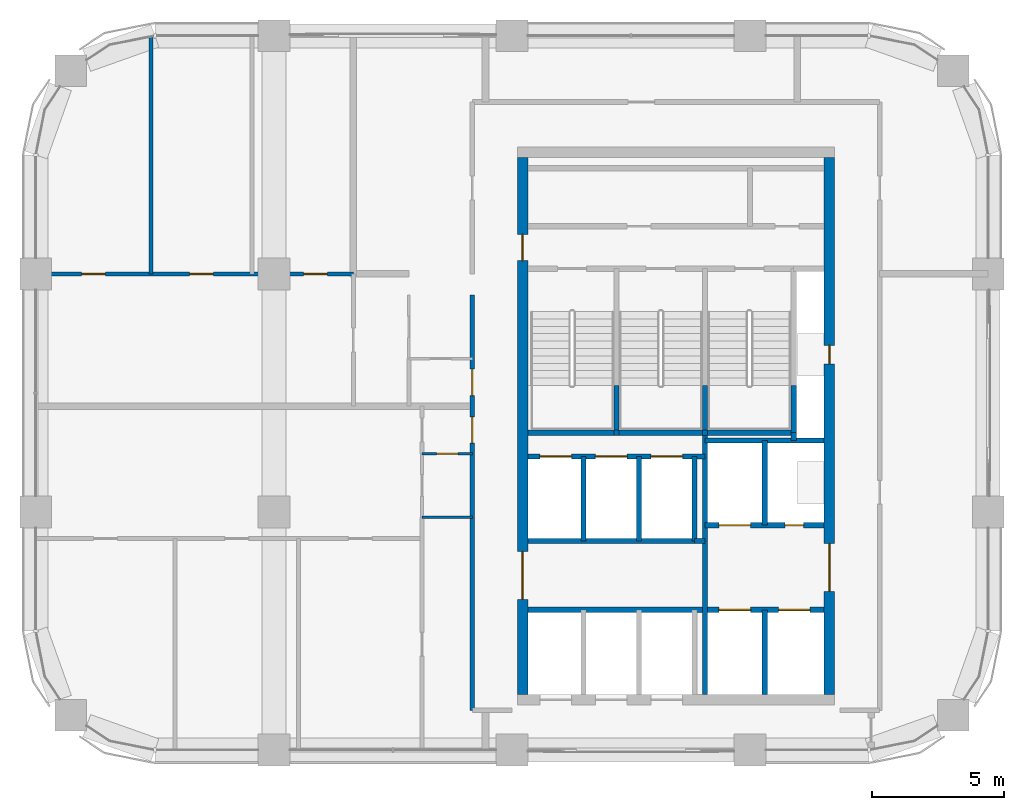
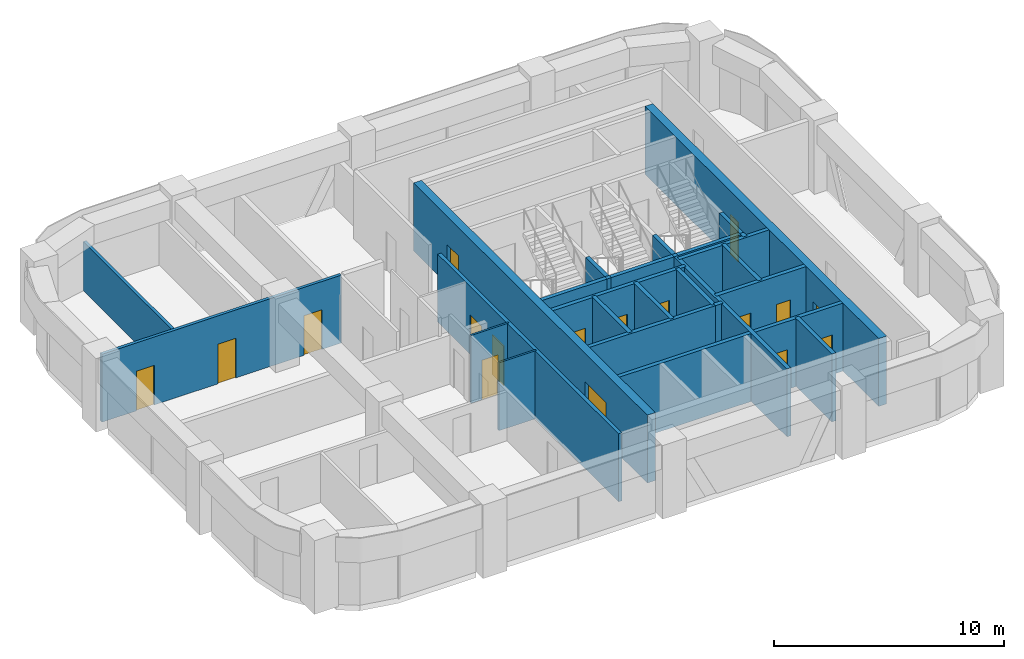
# One storey, part 7 of 9: 28 walls, 17 doors, 17 openings.
"""IFC4 building model written with IfcOpenShell, lengths in metres."""

from ifc_helpers import new_model, si_unit, direction, frame, frame_2d, origin, place, context, subcontext, project, spatial, rectangle, extrude, material, layer, layer_set, type_object, element, fill, save


model = new_model("IFC4")

# Units and contexts
model_context = context("Model", 3, precision=1e-05, world=origin(), true_north=direction((0.0, 1.0)))
body_context = subcontext(model_context, "Body", "Model", "MODEL_VIEW")
ifc_project = project(units=[si_unit("LENGTHUNIT", "METRE"), si_unit("AREAUNIT", "SQUARE_METRE"), si_unit("VOLUMEUNIT", "CUBIC_METRE"), si_unit("PLANEANGLEUNIT", "RADIAN"), si_unit("MASSUNIT", "GRAM", prefix="KILO")], contexts=[model_context])

# Site, building, storey
site_placement = place(None, origin())
site = spatial("IfcSite", under=ifc_project, at=site_placement, CompositionType="ELEMENT")
building_placement = place(site_placement, origin())
building = spatial("IfcBuilding", under=site, at=building_placement, Name="Tessera Arch", CompositionType="ELEMENT")
storey_placement = place(building_placement, frame((0.0, 0.0, 246.199951171875)))
storey = spatial("IfcBuildingStorey", under=building, at=storey_placement, Name="L59", CompositionType="ELEMENT", Elevation=246.199951171875)

# Wall
ifc_material_1 = material(Name="Gypsum board on steel stud", Category="steel")
ifc_layer_1 = layer(ifc_material_1, 0.125)
ifc_layer_set_1 = layer_set([ifc_layer_1], Name="Core partition 125 EI 60")
wall_type_1 = type_object("IfcWallType", Name="Core partition 125 EI 60", PredefinedType="PARTITIONING", material=ifc_layer_set_1)
wall_1_placement = place(storey_placement, frame((42.89990234375, 34.89990234375, 0.0), z_axis=(0.0, 0.0, 1.0), x_axis=(1.0, 0.0, 0.0)))
element("IfcWall", 1, at=wall_1_placement, inside=storey, type_object=wall_type_1, Name="L59 C1 partition wall 19", PredefinedType="PARTITIONING", context=body_context, shape_type="SweptSolid", body=[
    extrude(rectangle(XDim=0.400146484375, YDim=0.199951171875, at=frame_2d((0.2001953125, 0.0))), origin(), (0.0, 0.0, 1.0), 3.60009765625),
])

# Wall, openings, doors
ifc_material_2 = material(Name="Concrete C50/60", Category="concrete")
ifc_layer_2 = layer(ifc_material_2, 0.39990234375)
ifc_layer_set_2 = layer_set([ifc_layer_2], Name="Core shell wall 400 C50-60")
wall_type_2 = type_object("IfcWallType", Name="Core shell wall 400 C50-60", PredefinedType="SHEAR", material=ifc_layer_set_2)
wall_2_placement = place(storey_placement, frame((36.39990234375, 29.10009765625, 0.0), z_axis=(0.0, 0.0, 1.0), x_axis=(0.0, 1.0, 0.0)))
wall_2 = element("IfcWall", 2, at=wall_2_placement, inside=storey, type_object=wall_type_2, Name="L59 C1 core wall W", PredefinedType="SHEAR", context=body_context, shape_type="SweptSolid", body=[
    extrude(rectangle(XDim=20.2998046875, YDim=0.39990234375, at=frame_2d((10.14990234375, 0.0))), origin(), (0.0, 0.0, 1.0), 3.60009765625),
])
opening_1_placement = place(wall_2_placement, frame((3.60009765625, 0.0, 0.0)))
opening_1 = element("IfcOpeningElement", 3, at=opening_1_placement, cuts=wall_2, Name="Opening L59-C10", PredefinedType="OPENING", context=body_context, shape_type="SweptSolid", body=[
    extrude(rectangle(XDim=1.800048828125, YDim=2.10009765625, at=frame_2d((0.89990234375, 1.050048828125))), frame((0.0, 0.2099609375, 0.0), z_axis=(0.0, -1.0, 0.0), x_axis=(1.0, 0.0, 0.0)), (0.0, 0.0, 1.0), 0.419921875),
])
opening_2_placement = place(wall_2_placement, frame((16.39990234375, 0.0, 0.0)))
opening_2 = element("IfcOpeningElement", 4, at=opening_2_placement, cuts=wall_2, Name="Opening L59-C17", PredefinedType="OPENING", context=body_context, shape_type="SweptSolid", body=[
    extrude(rectangle(XDim=1.0, YDim=2.10009765625, at=frame_2d((0.5, 1.050048828125))), frame((0.0, 0.2099609375, 0.0), z_axis=(0.0, -1.0, 0.0), x_axis=(1.0, 0.0, 0.0)), (0.0, 0.0, 1.0), 0.419921875),
])
ifc_material_3 = material(Name="Steel door leaf", Category="steel")
door_type_1 = type_object("IfcDoorType", Name="Corridor door FD60 1000 x 2100", OperationType="SINGLE_SWING_LEFT", PredefinedType="DOOR", material=ifc_material_3)
door_1_placement = place(opening_2_placement, origin())
door_1 = element("IfcDoor", 5, at=door_1_placement, inside=storey, type_object=door_type_1, Name="L59 C1 door 17 C17 type D12", OperationType="SINGLE_SWING_RIGHT", OverallHeight=2.10009765625, OverallWidth=1.0, PredefinedType="DOOR", context=body_context, shape_type="SweptSolid", body=[
    extrude(rectangle(XDim=1.0, YDim=2.10009765625, at=frame_2d((0.5, 1.050048828125))), frame((0.0, 0.02490234375, 0.0), z_axis=(0.0, -1.0, 0.0), x_axis=(1.0, 0.0, 0.0)), (0.0, 0.0, 1.0), 0.050048828125),
])
fill(opening_2, door_1)
ifc_material_4 = material(Name="Glazed steel door leaf", Category="steel")
door_type_2 = type_object("IfcDoorType", Name="Lobby double door FD30S 1800 x 2100", OperationType="DOUBLE_DOOR_SINGLE_SWING", PredefinedType="DOOR", material=ifc_material_4)
door_2_placement = place(opening_1_placement, origin())
door_2 = element("IfcDoor", 6, at=door_2_placement, inside=storey, type_object=door_type_2, Name="L59 C1 door 10 C10 type D06", OperationType="DOUBLE_DOOR_SINGLE_SWING", OverallHeight=2.10009765625, OverallWidth=1.800048828125, PredefinedType="DOOR", context=body_context, shape_type="SweptSolid", body=[
    extrude(rectangle(XDim=1.800048828125, YDim=2.10009765625, at=frame_2d((0.89990234375, 1.050048828125))), frame((0.0, 0.02490234375, 0.0), z_axis=(0.0, -1.0, 0.0), x_axis=(1.0, 0.0, 0.0)), (0.0, 0.0, 1.0), 0.050048828125),
])
fill(opening_1, door_2)

wall_3_placement = place(storey_placement, frame((48.0, 29.10009765625, 0.0), z_axis=(0.0, 0.0, 1.0), x_axis=(0.0, 1.0, 0.0)))
wall_3 = element("IfcWall", 7, at=wall_3_placement, inside=storey, type_object=wall_type_2, Name="L59 C1 core wall E", PredefinedType="SHEAR", context=body_context, shape_type="SweptSolid", body=[
    extrude(rectangle(XDim=20.2998046875, YDim=0.39990234375, at=frame_2d((10.14990234375, 0.0))), origin(), (0.0, 0.0, 1.0), 3.60009765625),
])
opening_3_placement = place(wall_3_placement, frame((12.5, 0.0, 0.0)))
opening_3 = element("IfcOpeningElement", 8, at=opening_3_placement, cuts=wall_3, Name="Opening L59-C14", PredefinedType="OPENING", context=body_context, shape_type="SweptSolid", body=[
    extrude(rectangle(XDim=0.699951171875, YDim=2.10009765625, at=frame_2d((0.35009765625, 1.050048828125))), frame((0.0, 0.2099609375, 0.0), z_axis=(0.0, -1.0, 0.0), x_axis=(1.0, 0.0, 0.0)), (0.0, 0.0, 1.0), 0.419921875),
])
opening_4_placement = place(wall_3_placement, frame((3.89990234375, 0.0, 0.0)))
opening_4 = element("IfcOpeningElement", 9, at=opening_4_placement, cuts=wall_3, Name="Opening L59-C15", PredefinedType="OPENING", context=body_context, shape_type="SweptSolid", body=[
    extrude(rectangle(XDim=1.800048828125, YDim=2.10009765625, at=frame_2d((0.89990234375, 1.050048828125))), frame((0.0, 0.2099609375, 0.0), z_axis=(0.0, -1.0, 0.0), x_axis=(1.0, 0.0, 0.0)), (0.0, 0.0, 1.0), 0.419921875),
])
ifc_material_5 = material(Name="Glazed steel door leaf", Category="steel")
door_type_3 = type_object("IfcDoorType", Name="Lobby double door FD60 1800 x 2100", OperationType="DOUBLE_DOOR_SINGLE_SWING", PredefinedType="DOOR", material=ifc_material_5)
door_3_placement = place(opening_4_placement, origin())
door_3 = element("IfcDoor", 10, at=door_3_placement, inside=storey, type_object=door_type_3, Name="L59 C1 door 15 C15 type D19", OperationType="DOUBLE_DOOR_SINGLE_SWING", OverallHeight=2.10009765625, OverallWidth=1.800048828125, PredefinedType="DOOR", context=body_context, shape_type="SweptSolid", body=[
    extrude(rectangle(XDim=1.800048828125, YDim=2.10009765625, at=frame_2d((0.89990234375, 1.050048828125))), frame((0.0, 0.02490234375, 0.0), z_axis=(0.0, -1.0, 0.0), x_axis=(1.0, 0.0, 0.0)), (0.0, 0.0, 1.0), 0.050048828125),
])
fill(opening_4, door_3)
ifc_material_6 = material(Name="Steel door leaf", Category="steel")
door_type_4 = type_object("IfcDoorType", Name="Service shaft door FD60 700 x 2100", OperationType="SINGLE_SWING_LEFT", PredefinedType="DOOR", material=ifc_material_6)
door_4_placement = place(opening_3_placement, origin())
door_4 = element("IfcDoor", 11, at=door_4_placement, inside=storey, type_object=door_type_4, Name="L59 C1 door 14 C14 type D07", OperationType="SINGLE_SWING_RIGHT", OverallHeight=2.10009765625, OverallWidth=0.699951171875, PredefinedType="DOOR", context=body_context, shape_type="SweptSolid", body=[
    extrude(rectangle(XDim=0.699951171875, YDim=2.10009765625, at=frame_2d((0.35009765625, 1.050048828125))), frame((0.0, 0.02490234375, 0.0), z_axis=(0.0, -1.0, 0.0), x_axis=(1.0, 0.0, 0.0)), (0.0, 0.0, 1.0), 0.050048828125),
])
fill(opening_3, door_4)

ifc_material_7 = material(Name="Gypsum board on deep steel stud with mineral wool", Category="steel")
ifc_layer_3 = layer(ifc_material_7, 0.175048828125)
ifc_layer_set_3 = layer_set([ifc_layer_3], Name="Corridor wall 175 EI 60")
wall_type_3 = type_object("IfcWallType", Name="Corridor wall 175 EI 60", PredefinedType="PARTITIONING", material=ifc_layer_set_3)
wall_4_placement = place(storey_placement, frame((34.5, 28.5, 0.0), z_axis=(0.0, 0.0, 1.0), x_axis=(0.0, 1.0, 0.0)))
wall_4 = element("IfcWall", 12, at=wall_4_placement, inside=storey, type_object=wall_type_3, Name="L59 partition 4", PredefinedType="PARTITIONING", context=body_context, shape_type="SweptSolid", body=[
    extrude(rectangle(XDim=15.699951171875, YDim=0.175048828125, at=frame_2d((7.85009765625, 0.0))), origin(), (0.0, 0.0, 1.0), 3.60009765625),
])
opening_5_placement = place(wall_4_placement, frame((10.10009765625, 0.0, 0.0)))
opening_5 = element("IfcOpeningElement", 13, at=opening_5_placement, cuts=wall_4, Name="Opening L59-D001", PredefinedType="OPENING", context=body_context, shape_type="SweptSolid", body=[
    extrude(rectangle(XDim=1.0, YDim=2.10009765625, at=frame_2d((0.5, 1.050048828125))), frame((0.0, 0.097412109375, 0.0), z_axis=(0.0, -1.0, 0.0), x_axis=(1.0, 0.0, 0.0)), (0.0, 0.0, 1.0), 0.195068359375),
])
opening_6_placement = place(wall_4_placement, frame((11.89990234375, 0.0, 0.0)))
opening_6 = element("IfcOpeningElement", 14, at=opening_6_placement, cuts=wall_4, Name="Opening L59-D010", PredefinedType="OPENING", context=body_context, shape_type="SweptSolid", body=[
    extrude(rectangle(XDim=1.0, YDim=2.10009765625, at=frame_2d((0.5, 1.050048828125))), frame((0.0, 0.097412109375, 0.0), z_axis=(0.0, -1.0, 0.0), x_axis=(1.0, 0.0, 0.0)), (0.0, 0.0, 1.0), 0.195068359375),
])
ifc_material_8 = material(Name="Fire-rated door leaf")
door_type_5 = type_object("IfcDoorType", Name="Entrance door FD30S 1000 x 2100", OperationType="SINGLE_SWING_LEFT", PredefinedType="DOOR", material=ifc_material_8)
door_5_placement = place(opening_5_placement, origin())
door_5 = element("IfcDoor", 15, at=door_5_placement, inside=storey, type_object=door_type_5, Name="L59 door D001 type D03", OperationType="SINGLE_SWING_RIGHT", OverallHeight=2.10009765625, OverallWidth=1.0, PredefinedType="DOOR", context=body_context, shape_type="SweptSolid", body=[
    extrude(rectangle(XDim=1.0, YDim=2.10009765625, at=frame_2d((0.5, 1.050048828125))), frame((0.0, 0.02490234375, 0.0), z_axis=(0.0, -1.0, 0.0), x_axis=(1.0, 0.0, 0.0)), (0.0, 0.0, 1.0), 0.050048828125),
])
fill(opening_5, door_5)
door_6_placement = place(opening_6_placement, origin())
door_6 = element("IfcDoor", 16, at=door_6_placement, inside=storey, type_object=door_type_5, Name="L59 door D010 type D03", OperationType="SINGLE_SWING_RIGHT", OverallHeight=2.10009765625, OverallWidth=1.0, PredefinedType="DOOR", context=body_context, shape_type="SweptSolid", body=[
    extrude(rectangle(XDim=1.0, YDim=2.10009765625, at=frame_2d((0.5, 1.050048828125))), frame((0.0, 0.02490234375, 0.0), z_axis=(0.0, -1.0, 0.0), x_axis=(1.0, 0.0, 0.0)), (0.0, 0.0, 1.0), 0.050048828125),
])
fill(opening_6, door_6)

ifc_material_9 = material(Name="Gypsum board on steel stud", Category="steel")
ifc_layer_4 = layer(ifc_material_9, 0.14990234375)
ifc_layer_set_4 = layer_set([ifc_layer_4], Name="Partition 150")
wall_type_4 = type_object("IfcWallType", Name="Partition 150", PredefinedType="PARTITIONING", material=ifc_layer_set_4)
wall_5_placement = place(storey_placement, frame((18.0, 45.0, 0.0), z_axis=(0.0, 0.0, 1.0), x_axis=(1.0, 0.0, 0.0)))
wall_5 = element("IfcWall", 17, at=wall_5_placement, inside=storey, type_object=wall_type_4, Name="L59 partition 8", PredefinedType="PARTITIONING", context=body_context, shape_type="SweptSolid", body=[
    extrude(rectangle(XDim=12.0, YDim=0.14990234375, at=frame_2d((6.0, 0.0))), origin(), (0.0, 0.0, 1.0), 3.60009765625),
])
opening_7_placement = place(wall_5_placement, frame((10.122802734375, 0.0, 0.0)))
opening_7 = element("IfcOpeningElement", 18, at=opening_7_placement, cuts=wall_5, Name="Opening L59-D014", PredefinedType="OPENING", context=body_context, shape_type="SweptSolid", body=[
    extrude(rectangle(XDim=0.89990234375, YDim=2.10009765625, at=frame_2d((0.449951171875, 1.050048828125))), frame((0.0, 0.0849609375, 0.0), z_axis=(0.0, -1.0, 0.0), x_axis=(1.0, 0.0, 0.0)), (0.0, 0.0, 1.0), 0.169921875),
])
opening_8_placement = place(wall_5_placement, frame((5.813720703125, 0.0, 0.0)))
opening_8 = element("IfcOpeningElement", 19, at=opening_8_placement, cuts=wall_5, Name="Opening L59-D015", PredefinedType="OPENING", context=body_context, shape_type="SweptSolid", body=[
    extrude(rectangle(XDim=0.89990234375, YDim=2.10009765625, at=frame_2d((0.449951171875, 1.050048828125))), frame((0.0, 0.0849609375, 0.0), z_axis=(0.0, -1.0, 0.0), x_axis=(1.0, 0.0, 0.0)), (0.0, 0.0, 1.0), 0.169921875),
])
opening_9_placement = place(wall_5_placement, frame((1.725830078125, 0.0, 0.0)))
opening_9 = element("IfcOpeningElement", 20, at=opening_9_placement, cuts=wall_5, Name="Opening L59-D016", PredefinedType="OPENING", context=body_context, shape_type="SweptSolid", body=[
    extrude(rectangle(XDim=0.89990234375, YDim=2.10009765625, at=frame_2d((0.449951171875, 1.050048828125))), frame((0.0, 0.0849609375, 0.0), z_axis=(0.0, -1.0, 0.0), x_axis=(1.0, 0.0, 0.0)), (0.0, 0.0, 1.0), 0.169921875),
])
ifc_material_10 = material(Name="Timber door leaf", Category="wood")
door_type_6 = type_object("IfcDoorType", Name="Room door 900 x 2100", OperationType="SINGLE_SWING_LEFT", PredefinedType="DOOR", material=ifc_material_10)
door_7_placement = place(opening_7_placement, origin())
door_7 = element("IfcDoor", 21, at=door_7_placement, inside=storey, type_object=door_type_6, Name="L59 door D014 type D01", OperationType="SINGLE_SWING_RIGHT", OverallHeight=2.10009765625, OverallWidth=0.89990234375, PredefinedType="DOOR", context=body_context, shape_type="SweptSolid", body=[
    extrude(rectangle(XDim=0.89990234375, YDim=2.10009765625, at=frame_2d((0.449951171875, 1.050048828125))), frame((0.0, 0.02490234375, 0.0), z_axis=(0.0, -1.0, 0.0), x_axis=(1.0, 0.0, 0.0)), (0.0, 0.0, 1.0), 0.050048828125),
])
fill(opening_7, door_7)
door_8_placement = place(opening_8_placement, origin())
door_8 = element("IfcDoor", 22, at=door_8_placement, inside=storey, type_object=door_type_6, Name="L59 door D015 type D01", OperationType="SINGLE_SWING_RIGHT", OverallHeight=2.10009765625, OverallWidth=0.89990234375, PredefinedType="DOOR", context=body_context, shape_type="SweptSolid", body=[
    extrude(rectangle(XDim=0.89990234375, YDim=2.10009765625, at=frame_2d((0.449951171875, 1.050048828125))), frame((0.0, 0.02490234375, 0.0), z_axis=(0.0, -1.0, 0.0), x_axis=(1.0, 0.0, 0.0)), (0.0, 0.0, 1.0), 0.050048828125),
])
fill(opening_8, door_8)
door_9_placement = place(opening_9_placement, origin())
door_9 = element("IfcDoor", 23, at=door_9_placement, inside=storey, type_object=door_type_6, Name="L59 door D016 type D01", OperationType="SINGLE_SWING_RIGHT", OverallHeight=2.10009765625, OverallWidth=0.89990234375, PredefinedType="DOOR", context=body_context, shape_type="SweptSolid", body=[
    extrude(rectangle(XDim=0.89990234375, YDim=2.10009765625, at=frame_2d((0.449951171875, 1.050048828125))), frame((0.0, 0.02490234375, 0.0), z_axis=(0.0, -1.0, 0.0), x_axis=(1.0, 0.0, 0.0)), (0.0, 0.0, 1.0), 0.050048828125),
])
fill(opening_9, door_9)

# Walls
wall_6_placement = place(storey_placement, frame((22.35205078125, 45.0, 0.0), z_axis=(0.0, 0.0, 1.0), x_axis=(0.0, 1.0, 0.0)))
element("IfcWall", 24, at=wall_6_placement, inside=storey, type_object=wall_type_4, Name="L59 partition 9", PredefinedType="PARTITIONING", context=body_context, shape_type="SweptSolid", body=[
    extrude(rectangle(XDim=8.970458984375, YDim=0.14990234375, at=frame_2d((4.4853515625, 0.0))), origin(), (0.0, 0.0, 1.0), 2.60009765625),
])
ifc_material_11 = material(Name="Concrete C40/50", Category="concrete")
ifc_layer_5 = layer(ifc_material_11, 0.199951171875)
ifc_layer_set_5 = layer_set([ifc_layer_5], Name="Shaft wall 200 EI 120")
wall_type_5 = type_object("IfcWallType", Name="Shaft wall 200 EI 120", PredefinedType="SOLIDWALL", material=ifc_layer_set_5)
for number, where, z_axis, x_axis, name in (
    (25, (38.699951171875, 34.89990234375, 0.0), (0.0, 0.0, 1.0), (0.0, 1.0, 0.0), "L59 C1 shaft wall 2"),
    (26, (40.800048828125, 34.89990234375, 0.0), (0.0, 0.0, 1.0), (0.0, 1.0, 0.0), "L59 C1 shaft wall 6"),
    (27, (42.89990234375, 34.89990234375, 0.0), (0.0, 0.0, 1.0), (0.0, 1.0, 0.0), "L59 C1 shaft wall 8"),
):
    element("IfcWall", number, at=place(storey_placement, frame(where, z_axis=z_axis, x_axis=x_axis)), inside=storey, type_object=wall_type_5, Name=name, PredefinedType="SOLIDWALL", context=body_context, shape_type="SweptSolid", body=[
        extrude(rectangle(XDim=3.2001953125, YDim=0.199951171875, at=frame_2d((1.60009765625, 0.0))), origin(), (0.0, 0.0, 1.0), 3.60009765625),
    ])
wall_7_placement = place(storey_placement, frame((43.300048828125, 29.10009765625, 0.0), z_axis=(0.0, 0.0, 1.0), x_axis=(0.0, 1.0, 0.0)))
element("IfcWall", 28, at=wall_7_placement, inside=storey, type_object=wall_type_5, Name="L59 C1 shaft wall 9", PredefinedType="SOLIDWALL", context=body_context, shape_type="SweptSolid", body=[
    extrude(rectangle(XDim=9.89990234375, YDim=0.199951171875, at=frame_2d((4.949951171875, 0.0))), origin(), (0.0, 0.0, 1.0), 3.60009765625),
])
for number, where, z_axis, x_axis, name in (
    (29, (45.550048828125, 29.10009765625, 0.0), (0.0, 0.0, 1.0), (0.0, 1.0, 0.0), "L59 C1 shaft wall 13"),
    (30, (45.550048828125, 35.5, 0.0), (0.0, 0.0, 1.0), (0.0, 1.0, 0.0), "L59 C1 shaft wall 14"),
):
    element("IfcWall", number, at=place(storey_placement, frame(where, z_axis=z_axis, x_axis=x_axis)), inside=storey, type_object=wall_type_5, Name=name, PredefinedType="SOLIDWALL", context=body_context, shape_type="SweptSolid", body=[
        extrude(rectangle(XDim=3.199951171875, YDim=0.199951171875, at=frame_2d((1.60009765625, 0.0))), origin(), (0.0, 0.0, 1.0), 3.60009765625),
    ])
wall_8_placement = place(storey_placement, frame((46.64990234375, 38.699951171875, 0.0), z_axis=(0.0, 0.0, 1.0), x_axis=(0.0, 1.0, 0.0)))
element("IfcWall", 31, at=wall_8_placement, inside=storey, type_object=wall_type_5, Name="L59 C1 shaft wall 15", PredefinedType="SOLIDWALL", context=body_context, shape_type="SweptSolid", body=[
    extrude(rectangle(XDim=0.300048828125, YDim=0.199951171875, at=frame_2d((0.14990234375, 0.0))), origin(), (0.0, 0.0, 1.0), 3.60009765625),
])

# Wall, openings, doors
wall_9_placement = place(storey_placement, frame((36.60009765625, 32.300048828125, 0.0), z_axis=(0.0, 0.0, 1.0), x_axis=(1.0, 0.0, 0.0)))
wall_9 = element("IfcWall", 32, at=wall_9_placement, inside=storey, type_object=wall_type_5, Name="L59 C1 shaft wall 18", PredefinedType="SOLIDWALL", context=body_context, shape_type="SweptSolid", body=[
    extrude(rectangle(XDim=11.199951171875, YDim=0.199951171875, at=frame_2d((5.60009765625, 0.0))), origin(), (0.0, 0.0, 1.0), 3.60009765625),
])
opening_10_placement = place(wall_9_placement, frame((7.22509765625, 0.0, 0.0)))
opening_10 = element("IfcOpeningElement", 33, at=opening_10_placement, cuts=wall_9, Name="Opening L59-C07", PredefinedType="OPENING", context=body_context, shape_type="SweptSolid", body=[
    extrude(rectangle(XDim=1.199951171875, YDim=2.10009765625, at=frame_2d((0.60009765625, 1.050048828125))), frame((0.0, 0.10986328125, 0.0), z_axis=(0.0, -1.0, 0.0), x_axis=(1.0, 0.0, 0.0)), (0.0, 0.0, 1.0), 0.219970703125),
])
opening_11_placement = place(wall_9_placement, frame((9.47509765625, 0.0, 0.0)))
opening_11 = element("IfcOpeningElement", 34, at=opening_11_placement, cuts=wall_9, Name="Opening L59-C08", PredefinedType="OPENING", context=body_context, shape_type="SweptSolid", body=[
    extrude(rectangle(XDim=1.199951171875, YDim=2.10009765625, at=frame_2d((0.60009765625, 1.050048828125))), frame((0.0, 0.10986328125, 0.0), z_axis=(0.0, -1.0, 0.0), x_axis=(1.0, 0.0, 0.0)), (0.0, 0.0, 1.0), 0.219970703125),
])
ifc_material_12 = material(Name="Stainless steel AISI 304", Category="steel")
door_type_7 = type_object("IfcDoorType", Name="Sliding landing door 1200 x 2100", OperationType="SLIDING_TO_LEFT", PredefinedType="DOOR", material=ifc_material_12)
door_10_placement = place(opening_10_placement, origin())
door_10 = element("IfcDoor", 35, at=door_10_placement, inside=storey, type_object=door_type_7, Name="L59 FF1 lift landing door C07 type LD", OperationType="SLIDING_TO_LEFT", OverallHeight=2.10009765625, OverallWidth=1.199951171875, PredefinedType="DOOR", context=body_context, shape_type="SweptSolid", body=[
    extrude(rectangle(XDim=1.199951171875, YDim=2.10009765625, at=frame_2d((0.60009765625, 1.050048828125))), frame((0.0, 0.02490234375, 0.0), z_axis=(0.0, -1.0, 0.0), x_axis=(1.0, 0.0, 0.0)), (0.0, 0.0, 1.0), 0.050048828125),
])
fill(opening_10, door_10)
door_11_placement = place(opening_11_placement, origin())
door_11 = element("IfcDoor", 36, at=door_11_placement, inside=storey, type_object=door_type_7, Name="L59 FF2 lift landing door C08 type LD", OperationType="SLIDING_TO_LEFT", OverallHeight=2.10009765625, OverallWidth=1.199951171875, PredefinedType="DOOR", context=body_context, shape_type="SweptSolid", body=[
    extrude(rectangle(XDim=1.199951171875, YDim=2.10009765625, at=frame_2d((0.60009765625, 1.050048828125))), frame((0.0, 0.02490234375, 0.0), z_axis=(0.0, -1.0, 0.0), x_axis=(1.0, 0.0, 0.0)), (0.0, 0.0, 1.0), 0.050048828125),
])
fill(opening_11, door_11)

# Wall
wall_10_placement = place(storey_placement, frame((36.60009765625, 34.89990234375, 0.0), z_axis=(0.0, 0.0, 1.0), x_axis=(1.0, 0.0, 0.0)))
element("IfcWall", 37, at=wall_10_placement, inside=storey, type_object=wall_type_5, Name="L59 C1 shaft wall 20", PredefinedType="SOLIDWALL", context=body_context, shape_type="SweptSolid", body=[
    extrude(rectangle(XDim=6.2998046875, YDim=0.199951171875, at=frame_2d((3.14990234375, 0.0))), origin(), (0.0, 0.0, 1.0), 3.60009765625),
])

# Wall, openings, doors
wall_11_placement = place(storey_placement, frame((43.300048828125, 35.5, 0.0), z_axis=(0.0, 0.0, 1.0), x_axis=(1.0, 0.0, 0.0)))
wall_11 = element("IfcWall", 38, at=wall_11_placement, inside=storey, type_object=wall_type_5, Name="L59 C1 shaft wall 21", PredefinedType="SOLIDWALL", context=body_context, shape_type="SweptSolid", body=[
    extrude(rectangle(XDim=4.5, YDim=0.199951171875, at=frame_2d((2.25, 0.0))), origin(), (0.0, 0.0, 1.0), 3.60009765625),
])
opening_12_placement = place(wall_11_placement, frame((0.52490234375, 0.0, 0.0)))
opening_12 = element("IfcOpeningElement", 39, at=opening_12_placement, cuts=wall_11, Name="Opening L59-C09", PredefinedType="OPENING", context=body_context, shape_type="SweptSolid", body=[
    extrude(rectangle(XDim=1.199951171875, YDim=2.10009765625, at=frame_2d((0.60009765625, 1.050048828125))), frame((0.0, 0.10986328125, 0.0), z_axis=(0.0, -1.0, 0.0), x_axis=(1.0, 0.0, 0.0)), (0.0, 0.0, 1.0), 0.219970703125),
])
opening_13_placement = place(wall_11_placement, frame((3.02490234375, 0.0, 0.0)))
opening_13 = element("IfcOpeningElement", 40, at=opening_13_placement, cuts=wall_11, Name="Opening L59-C16", PredefinedType="OPENING", context=body_context, shape_type="SweptSolid", body=[
    extrude(rectangle(XDim=0.699951171875, YDim=2.10009765625, at=frame_2d((0.35009765625, 1.050048828125))), frame((0.0, 0.10986328125, 0.0), z_axis=(0.0, -1.0, 0.0), x_axis=(1.0, 0.0, 0.0)), (0.0, 0.0, 1.0), 0.219970703125),
])
door_12_placement = place(opening_13_placement, origin())
door_12 = element("IfcDoor", 41, at=door_12_placement, inside=storey, type_object=door_type_4, Name="L59 C1 door 16 C16 type D07", OperationType="SINGLE_SWING_RIGHT", OverallHeight=2.10009765625, OverallWidth=0.699951171875, PredefinedType="DOOR", context=body_context, shape_type="SweptSolid", body=[
    extrude(rectangle(XDim=0.699951171875, YDim=2.10009765625, at=frame_2d((0.35009765625, 1.050048828125))), frame((0.0, 0.02490234375, 0.0), z_axis=(0.0, -1.0, 0.0), x_axis=(1.0, 0.0, 0.0)), (0.0, 0.0, 1.0), 0.050048828125),
])
fill(opening_13, door_12)
door_13_placement = place(opening_12_placement, origin())
door_13 = element("IfcDoor", 42, at=door_13_placement, inside=storey, type_object=door_type_7, Name="L59 SV2 lift landing door C09 type LD", OperationType="SLIDING_TO_LEFT", OverallHeight=2.10009765625, OverallWidth=1.199951171875, PredefinedType="DOOR", context=body_context, shape_type="SweptSolid", body=[
    extrude(rectangle(XDim=1.199951171875, YDim=2.10009765625, at=frame_2d((0.60009765625, 1.050048828125))), frame((0.0, 0.02490234375, 0.0), z_axis=(0.0, -1.0, 0.0), x_axis=(1.0, 0.0, 0.0)), (0.0, 0.0, 1.0), 0.050048828125),
])
fill(opening_12, door_13)

wall_12_placement = place(storey_placement, frame((36.60009765625, 38.10009765625, 0.0), z_axis=(0.0, 0.0, 1.0), x_axis=(1.0, 0.0, 0.0)))
wall_12 = element("IfcWall", 43, at=wall_12_placement, inside=storey, type_object=wall_type_5, Name="L59 C1 shaft wall 22", PredefinedType="SOLIDWALL", context=body_context, shape_type="SweptSolid", body=[
    extrude(rectangle(XDim=6.699951171875, YDim=0.199951171875, at=frame_2d((3.35009765625, 0.0))), origin(), (0.0, 0.0, 1.0), 3.60009765625),
])
opening_14_placement = place(wall_12_placement, frame((0.449951171875, 0.0, 0.0)))
opening_14 = element("IfcOpeningElement", 44, at=opening_14_placement, cuts=wall_12, Name="Opening L59-C02", PredefinedType="OPENING", context=body_context, shape_type="SweptSolid", body=[
    extrude(rectangle(XDim=1.199951171875, YDim=2.10009765625, at=frame_2d((0.60009765625, 1.050048828125))), frame((0.0, 0.10986328125, 0.0), z_axis=(0.0, -1.0, 0.0), x_axis=(1.0, 0.0, 0.0)), (0.0, 0.0, 1.0), 0.219970703125),
])
opening_15_placement = place(wall_12_placement, frame((2.550048828125, 0.0, 0.0)))
opening_15 = element("IfcOpeningElement", 45, at=opening_15_placement, cuts=wall_12, Name="Opening L59-C04", PredefinedType="OPENING", context=body_context, shape_type="SweptSolid", body=[
    extrude(rectangle(XDim=1.199951171875, YDim=2.10009765625, at=frame_2d((0.60009765625, 1.050048828125))), frame((0.0, 0.10986328125, 0.0), z_axis=(0.0, -1.0, 0.0), x_axis=(1.0, 0.0, 0.0)), (0.0, 0.0, 1.0), 0.219970703125),
])
opening_16_placement = place(wall_12_placement, frame((4.64990234375, 0.0, 0.0)))
opening_16 = element("IfcOpeningElement", 46, at=opening_16_placement, cuts=wall_12, Name="Opening L59-C06", PredefinedType="OPENING", context=body_context, shape_type="SweptSolid", body=[
    extrude(rectangle(XDim=1.199951171875, YDim=2.10009765625, at=frame_2d((0.60009765625, 1.050048828125))), frame((0.0, 0.10986328125, 0.0), z_axis=(0.0, -1.0, 0.0), x_axis=(1.0, 0.0, 0.0)), (0.0, 0.0, 1.0), 0.219970703125),
])
door_14_placement = place(opening_14_placement, origin())
door_14 = element("IfcDoor", 47, at=door_14_placement, inside=storey, type_object=door_type_7, Name="L59 HR4 lift landing door C02 type LD", OperationType="SLIDING_TO_LEFT", OverallHeight=2.10009765625, OverallWidth=1.199951171875, PredefinedType="DOOR", context=body_context, shape_type="SweptSolid", body=[
    extrude(rectangle(XDim=1.199951171875, YDim=2.10009765625, at=frame_2d((0.60009765625, 1.050048828125))), frame((0.0, 0.02490234375, 0.0), z_axis=(0.0, -1.0, 0.0), x_axis=(1.0, 0.0, 0.0)), (0.0, 0.0, 1.0), 0.050048828125),
])
fill(opening_14, door_14)
door_15_placement = place(opening_15_placement, origin())
door_15 = element("IfcDoor", 48, at=door_15_placement, inside=storey, type_object=door_type_7, Name="L59 HR5 lift landing door C04 type LD", OperationType="SLIDING_TO_LEFT", OverallHeight=2.10009765625, OverallWidth=1.199951171875, PredefinedType="DOOR", context=body_context, shape_type="SweptSolid", body=[
    extrude(rectangle(XDim=1.199951171875, YDim=2.10009765625, at=frame_2d((0.60009765625, 1.050048828125))), frame((0.0, 0.02490234375, 0.0), z_axis=(0.0, -1.0, 0.0), x_axis=(1.0, 0.0, 0.0)), (0.0, 0.0, 1.0), 0.050048828125),
])
fill(opening_15, door_15)
door_16_placement = place(opening_16_placement, origin())
door_16 = element("IfcDoor", 49, at=door_16_placement, inside=storey, type_object=door_type_7, Name="L59 HR6 lift landing door C06 type LD", OperationType="SLIDING_TO_LEFT", OverallHeight=2.10009765625, OverallWidth=1.199951171875, PredefinedType="DOOR", context=body_context, shape_type="SweptSolid", body=[
    extrude(rectangle(XDim=1.199951171875, YDim=2.10009765625, at=frame_2d((0.60009765625, 1.050048828125))), frame((0.0, 0.02490234375, 0.0), z_axis=(0.0, -1.0, 0.0), x_axis=(1.0, 0.0, 0.0)), (0.0, 0.0, 1.0), 0.050048828125),
])
fill(opening_16, door_16)

# Walls
wall_13_placement = place(storey_placement, frame((43.300048828125, 38.699951171875, 0.0), z_axis=(0.0, 0.0, 1.0), x_axis=(1.0, 0.0, 0.0)))
element("IfcWall", 50, at=wall_13_placement, inside=storey, type_object=wall_type_5, Name="L59 C1 shaft wall 23", PredefinedType="SOLIDWALL", context=body_context, shape_type="SweptSolid", body=[
    extrude(rectangle(XDim=4.5, YDim=0.199951171875, at=frame_2d((2.25, 0.0))), origin(), (0.0, 0.0, 1.0), 3.60009765625),
])
ifc_material_13 = material(Name="Concrete C40/50", Category="concrete")
ifc_layer_6 = layer(ifc_material_13, 0.199951171875)
ifc_layer_set_6 = layer_set([ifc_layer_6], Name="Stair well wall 200 REI 180")
wall_type_6 = type_object("IfcWallType", Name="Stair well wall 200 REI 180", PredefinedType="SOLIDWALL", material=ifc_layer_set_6)
for number, where, z_axis, x_axis, name in (
    (51, (39.949951171875, 39.0, 0.0), (0.0, 0.0, 1.0), (0.0, 1.0, 0.0), "L59 C1 shaft wall 3"),
    (52, (43.300048828125, 39.0, 0.0), (0.0, 0.0, 1.0), (0.0, 1.0, 0.0), "L59 C1 shaft wall 10"),
    (53, (46.64990234375, 39.0, 0.0), (0.0, 0.0, 1.0), (0.0, 1.0, 0.0), "L59 C1 shaft wall 16"),
):
    element("IfcWall", number, at=place(storey_placement, frame(where, z_axis=z_axis, x_axis=x_axis)), inside=storey, type_object=wall_type_6, Name=name, PredefinedType="SOLIDWALL", context=body_context, shape_type="SweptSolid", body=[
        extrude(rectangle(XDim=1.780029296875, YDim=0.199951171875, at=frame_2d((0.89013671875, 0.0))), origin(), (0.0, 0.0, 1.0), 3.60009765625),
    ])
wall_14_placement = place(storey_placement, frame((36.60009765625, 39.0, 0.0), z_axis=(0.0, 0.0, 1.0), x_axis=(1.0, 0.0, 0.0)))
element("IfcWall", 54, at=wall_14_placement, inside=storey, type_object=wall_type_6, Name="L59 C1 shaft wall 24", PredefinedType="SOLIDWALL", context=body_context, shape_type="SweptSolid", body=[
    extrude(rectangle(XDim=3.25, YDim=0.199951171875, at=frame_2d((1.625, 0.0))), origin(), (0.0, 0.0, 1.0), 3.60009765625),
])
wall_15_placement = place(storey_placement, frame((39.85009765625, 39.0, 0.0), z_axis=(0.0, 0.0, 1.0), x_axis=(1.0, 0.0, 0.0)))
element("IfcWall", 55, at=wall_15_placement, inside=storey, type_object=wall_type_6, Name="L59 C1 shaft wall 25", PredefinedType="SOLIDWALL", context=body_context, shape_type="SweptSolid", body=[
    extrude(rectangle(XDim=0.199951171875, YDim=0.199951171875, at=frame_2d((0.10009765625, 0.0))), origin(), (0.0, 0.0, 1.0), 3.60009765625),
])
wall_16_placement = place(storey_placement, frame((40.050048828125, 39.0, 0.0), z_axis=(0.0, 0.0, 1.0), x_axis=(1.0, 0.0, 0.0)))
element("IfcWall", 56, at=wall_16_placement, inside=storey, type_object=wall_type_6, Name="L59 C1 shaft wall 26", PredefinedType="SOLIDWALL", context=body_context, shape_type="SweptSolid", body=[
    extrude(rectangle(XDim=3.14990234375, YDim=0.199951171875, at=frame_2d((1.574951171875, 0.0))), origin(), (0.0, 0.0, 1.0), 3.60009765625),
])
wall_17_placement = place(storey_placement, frame((43.199951171875, 39.0, 0.0), z_axis=(0.0, 0.0, 1.0), x_axis=(1.0, 0.0, 0.0)))
element("IfcWall", 57, at=wall_17_placement, inside=storey, type_object=wall_type_6, Name="L59 C1 shaft wall 27", PredefinedType="SOLIDWALL", context=body_context, shape_type="SweptSolid", body=[
    extrude(rectangle(XDim=0.199951171875, YDim=0.199951171875, at=frame_2d((0.10009765625, 0.0))), origin(), (0.0, 0.0, 1.0), 3.60009765625),
])
wall_18_placement = place(storey_placement, frame((43.39990234375, 39.0, 0.0), z_axis=(0.0, 0.0, 1.0), x_axis=(1.0, 0.0, 0.0)))
element("IfcWall", 58, at=wall_18_placement, inside=storey, type_object=wall_type_6, Name="L59 C1 shaft wall 28", PredefinedType="SOLIDWALL", context=body_context, shape_type="SweptSolid", body=[
    extrude(rectangle(XDim=3.25, YDim=0.199951171875, at=frame_2d((1.625, 0.0))), origin(), (0.0, 0.0, 1.0), 3.60009765625),
])
ifc_material_14 = material(Name="Moisture-resistant board on pre-plumbed steel stud", Category="steel")
ifc_layer_7 = layer(ifc_material_14, 0.10009765625)
ifc_layer_set_7 = layer_set([ifc_layer_7], Name="Wet wall 100")
wall_type_7 = type_object("IfcWallType", Name="Wet wall 100", PredefinedType="PARTITIONING", material=ifc_layer_set_7)
wall_19_placement = place(storey_placement, frame((32.60009765625, 35.800048828125, 0.0), z_axis=(0.0, 0.0, 1.0), x_axis=(1.0, 0.0, 0.0)))
element("IfcWall", 59, at=wall_19_placement, inside=storey, type_object=wall_type_7, Name="L59 partition 25", PredefinedType="PARTITIONING", context=body_context, shape_type="SweptSolid", body=[
    extrude(rectangle(XDim=1.89990234375, YDim=0.10009765625, at=frame_2d((0.949951171875, 0.0))), origin(), (0.0, 0.0, 1.0), 3.60009765625),
])

# Wall, opening, door
wall_20_placement = place(storey_placement, frame((32.60009765625, 38.199951171875, 0.0), z_axis=(0.0, 0.0, 1.0), x_axis=(1.0, 0.0, 0.0)))
wall_20 = element("IfcWall", 60, at=wall_20_placement, inside=storey, type_object=wall_type_7, Name="L59 partition 26", PredefinedType="PARTITIONING", context=body_context, shape_type="SweptSolid", body=[
    extrude(rectangle(XDim=1.89990234375, YDim=0.10009765625, at=frame_2d((0.949951171875, 0.0))), origin(), (0.0, 0.0, 1.0), 3.60009765625),
])
opening_17_placement = place(wall_20_placement, frame((0.550048828125, 0.0, 0.0)))
opening_17 = element("IfcOpeningElement", 61, at=opening_17_placement, cuts=wall_20, Name="Opening L59-D003", PredefinedType="OPENING", context=body_context, shape_type="SweptSolid", body=[
    extrude(rectangle(XDim=0.800048828125, YDim=2.10009765625, at=frame_2d((0.39990234375, 1.050048828125))), frame((0.0, 0.06005859375, 0.0), z_axis=(0.0, -1.0, 0.0), x_axis=(1.0, 0.0, 0.0)), (0.0, 0.0, 1.0), 0.1201171875),
])
ifc_material_15 = material(Name="Timber door leaf", Category="wood")
door_type_8 = type_object("IfcDoorType", Name="En-suite door 800 x 2100", OperationType="SINGLE_SWING_LEFT", PredefinedType="DOOR", material=ifc_material_15)
door_17_placement = place(opening_17_placement, origin())
door_17 = element("IfcDoor", 62, at=door_17_placement, inside=storey, type_object=door_type_8, Name="L59 door D003 type D02", OperationType="SINGLE_SWING_LEFT", OverallHeight=2.10009765625, OverallWidth=0.800048828125, PredefinedType="DOOR", context=body_context, shape_type="SweptSolid", body=[
    extrude(rectangle(XDim=0.800048828125, YDim=2.10009765625, at=frame_2d((0.39990234375, 1.050048828125))), frame((0.0, 0.02490234375, 0.0), z_axis=(0.0, -1.0, 0.0), x_axis=(1.0, 0.0, 0.0)), (0.0, 0.0, 1.0), 0.050048828125),
])
fill(opening_17, door_17)

save(model, "model.ifc")
